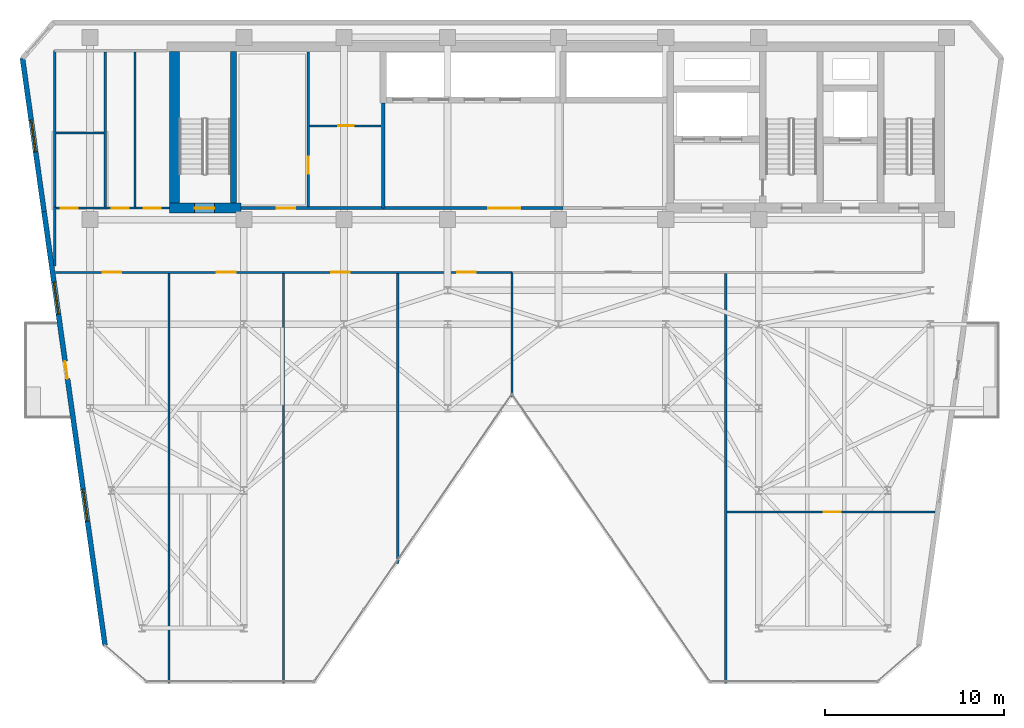
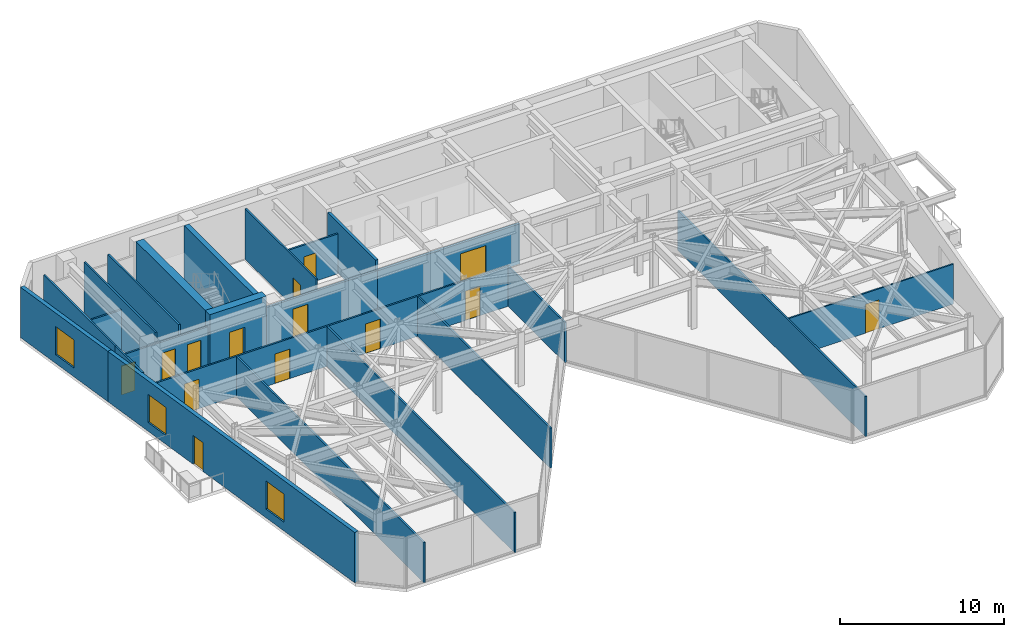
# One storey, part 16 of 21: 23 walls, 14 doors, 3 windows, 17 openings.
"""IFC4 building model written with IfcOpenShell, lengths in metres."""

from ifc_helpers import new_model, si_unit, direction, frame, frame_2d, origin, place, context, subcontext, project, spatial, rectangle, extrude, material, layer, layer_set, type_object, element, fill, save


model = new_model("IFC4")

# Units and contexts
model_context = context("Model", 3, precision=1e-05, world=origin(), true_north=direction((0.0, 1.0)))
body_context = subcontext(model_context, "Body", "Model", "MODEL_VIEW")
ifc_project = project(units=[si_unit("LENGTHUNIT", "METRE"), si_unit("AREAUNIT", "SQUARE_METRE"), si_unit("VOLUMEUNIT", "CUBIC_METRE"), si_unit("PLANEANGLEUNIT", "RADIAN"), si_unit("MASSUNIT", "GRAM", prefix="KILO")], contexts=[model_context])

# Site, building, storey
site_placement = place(None, origin())
site = spatial("IfcSite", under=ifc_project, at=site_placement, CompositionType="ELEMENT")
building_placement = place(site_placement, origin())
building = spatial("IfcBuilding", under=site, at=building_placement, Name="Kravanh Interchange Tower", CompositionType="ELEMENT")
storey_placement = place(building_placement, frame((0.0, 0.0, 168.5)))
storey = spatial("IfcBuildingStorey", under=building, at=storey_placement, Name="L40", CompositionType="ELEMENT", Elevation=168.5)

# Wall, opening, door
ifc_material_1 = material(Name="Double Acoustic Gypsum Board and Mineral Wool")
ifc_layer_1 = layer(ifc_material_1, 0.1201171875)
ifc_layer_set_1 = layer_set([ifc_layer_1], Name="Acoustic Office Drywall Partition 120mm")
wall_type_1 = type_object("IfcWallType", Name="Acoustic Office Drywall Partition 120mm", PredefinedType="PARTITIONING", material=ifc_layer_set_1)
wall_1_placement = place(storey_placement, frame((30.800048828125, 38.068115234375, 0.0), z_axis=(0.0, 0.0, 1.0), x_axis=(0.0, 1.0, 0.0)))
wall_1 = element("IfcWall", 1, at=wall_1_placement, inside=storey, type_object=wall_type_1, Name="L40 Interior Partition 4", PredefinedType="PARTITIONING", context=body_context, shape_type="SweptSolid", body=[
    extrude(rectangle(XDim=8.673828125, YDim=0.1201171875, at=frame_2d((4.3369140625, 0.0))), origin(), (0.0, 0.0, 1.0), 3.7548828125),
])
opening_1_placement = place(wall_1_placement, frame((1.865234375, 0.0, 0.0)))
opening_1 = element("IfcOpeningElement", 2, at=opening_1_placement, cuts=wall_1, Name="Opening D-95", PredefinedType="OPENING", context=body_context, shape_type="SweptSolid", body=[
    extrude(rectangle(XDim=0.949951171875, YDim=2.14990234375, at=frame_2d((0.47509765625, 1.074951171875))), frame((0.0, 0.070068359375, 0.0), z_axis=(0.0, -1.0, 0.0), x_axis=(1.0, 0.0, 0.0)), (0.0, 0.0, 1.0), 0.14013671875),
])
ifc_material_2 = material(Name="Laminate Solid-Core Timber", Category="wood")
door_type_1 = type_object("IfcDoorType", Name="Accessible Restroom Door 950x2150", OperationType="NOTDEFINED", PredefinedType="DOOR", material=ifc_material_2)
door_1_placement = place(opening_1_placement, origin())
door_1 = element("IfcDoor", 3, at=door_1_placement, inside=storey, type_object=door_type_1, Name="L40 Copy Hub Inner Door", OperationType="SINGLE_SWING_LEFT", OverallHeight=2.14990234375, OverallWidth=0.949951171875, PredefinedType="DOOR", context=body_context, shape_type="SweptSolid", body=[
    extrude(rectangle(XDim=0.949951171875, YDim=2.14990234375, at=frame_2d((0.47509765625, 1.074951171875))), frame((0.0, 0.02490234375, 0.0), z_axis=(0.0, -1.0, 0.0), x_axis=(1.0, 0.0, 0.0)), (0.0, 0.0, 1.0), 0.050048828125),
])
fill(opening_1, door_1)

wall_2_placement = place(storey_placement, frame((30.867919921875, 42.60009765625, 0.0), z_axis=(0.0, 0.0, 1.0), x_axis=(1.0, 0.0, 0.0)))
wall_2 = element("IfcWall", 4, at=wall_2_placement, inside=storey, type_object=wall_type_1, Name="L40 Interior Partition 5", PredefinedType="PARTITIONING", context=body_context, shape_type="SweptSolid", body=[
    extrude(rectangle(XDim=4.01416015625, YDim=0.1201171875, at=frame_2d((2.007080078125, 0.0))), origin(), (0.0, 0.0, 1.0), 2.98193359375),
])
opening_2_placement = place(wall_2_placement, frame((1.622314453125, 0.0, 0.0)))
opening_2 = element("IfcOpeningElement", 5, at=opening_2_placement, cuts=wall_2, Name="Opening D-85", PredefinedType="OPENING", context=body_context, shape_type="SweptSolid", body=[
    extrude(rectangle(XDim=0.85009765625, YDim=2.10009765625, at=frame_2d((0.425048828125, 1.050048828125))), frame((0.0, 0.070068359375, 0.0), z_axis=(0.0, -1.0, 0.0), x_axis=(1.0, 0.0, 0.0)), (0.0, 0.0, 1.0), 0.14013671875),
])
ifc_material_3 = material(Name="Engineered Teak Veneer Timber", Category="wood")
door_type_2 = type_object("IfcDoorType", Name="En-Suite Timber Door 850x2100", OperationType="NOTDEFINED", PredefinedType="DOOR", material=ifc_material_3)
door_2_placement = place(opening_2_placement, origin())
door_2 = element("IfcDoor", 6, at=door_2_placement, inside=storey, type_object=door_type_2, Name="L40 Records Store Inner Door", OperationType="SINGLE_SWING_RIGHT", OverallHeight=2.10009765625, OverallWidth=0.85009765625, PredefinedType="DOOR", context=body_context, shape_type="SweptSolid", body=[
    extrude(rectangle(XDim=0.85009765625, YDim=2.10009765625, at=frame_2d((0.425048828125, 1.050048828125))), frame((0.0, 0.02490234375, 0.0), z_axis=(0.0, -1.0, 0.0), x_axis=(1.0, 0.0, 0.0)), (0.0, 0.0, 1.0), 0.050048828125),
])
fill(opening_2, door_2)

# Wall, openings, doors
wall_3_placement = place(storey_placement, frame((16.6201171875, 38.0, 0.0), z_axis=(0.0, 0.0, 1.0), x_axis=(1.0, 0.0, 0.0)))
wall_3 = element("IfcWall", 7, at=wall_3_placement, inside=storey, type_object=wall_type_1, Name="L40 Restroom Corridor Wall 7", PredefinedType="PARTITIONING", context=body_context, shape_type="SweptSolid", body=[
    extrude(rectangle(XDim=6.429931640625, YDim=0.1201171875, at=frame_2d((3.21484375, 0.0))), origin(), (0.0, 0.0, 1.0), 2.98193359375),
])
opening_3_placement = place(wall_3_placement, frame((0.348876953125, 0.0, 0.0)))
opening_3 = element("IfcOpeningElement", 8, at=opening_3_placement, cuts=wall_3, Name="Opening D-95", PredefinedType="OPENING", context=body_context, shape_type="SweptSolid", body=[
    extrude(rectangle(XDim=0.949951171875, YDim=2.14990234375, at=frame_2d((0.47509765625, 1.074951171875))), frame((0.0, 0.070068359375, 0.0), z_axis=(0.0, -1.0, 0.0), x_axis=(1.0, 0.0, 0.0)), (0.0, 0.0, 1.0), 0.14013671875),
])
opening_4_placement = place(wall_3_placement, frame((3.18505859375, 0.0, 0.0)))
opening_4 = element("IfcOpeningElement", 9, at=opening_4_placement, cuts=wall_3, Name="Opening D-95", PredefinedType="OPENING", context=body_context, shape_type="SweptSolid", body=[
    extrude(rectangle(XDim=0.949951171875, YDim=2.14990234375, at=frame_2d((0.47509765625, 1.074951171875))), frame((0.0, 0.070068359375, 0.0), z_axis=(0.0, -1.0, 0.0), x_axis=(1.0, 0.0, 0.0)), (0.0, 0.0, 1.0), 0.14013671875),
])
opening_5_placement = place(wall_3_placement, frame((4.97509765625, 0.0, 0.0)))
opening_5 = element("IfcOpeningElement", 10, at=opening_5_placement, cuts=wall_3, Name="Opening D-95", PredefinedType="OPENING", context=body_context, shape_type="SweptSolid", body=[
    extrude(rectangle(XDim=0.949951171875, YDim=2.14990234375, at=frame_2d((0.47509765625, 1.074951171875))), frame((0.0, 0.070068359375, 0.0), z_axis=(0.0, -1.0, 0.0), x_axis=(1.0, 0.0, 0.0)), (0.0, 0.0, 1.0), 0.14013671875),
])
door_3_placement = place(opening_3_placement, origin())
door_3 = element("IfcDoor", 11, at=door_3_placement, inside=storey, type_object=door_type_1, Name="L40 Accessible WC Door", OperationType="SINGLE_SWING_LEFT", OverallHeight=2.14990234375, OverallWidth=0.949951171875, PredefinedType="DOOR", context=body_context, shape_type="SweptSolid", body=[
    extrude(rectangle(XDim=0.949951171875, YDim=2.14990234375, at=frame_2d((0.47509765625, 1.074951171875))), frame((0.0, 0.02490234375, 0.0), z_axis=(0.0, -1.0, 0.0), x_axis=(1.0, 0.0, 0.0)), (0.0, 0.0, 1.0), 0.050048828125),
])
fill(opening_3, door_3)
door_4_placement = place(opening_4_placement, origin())
door_4 = element("IfcDoor", 12, at=door_4_placement, inside=storey, type_object=door_type_1, Name="L40 Female WC Door", OperationType="SINGLE_SWING_RIGHT", OverallHeight=2.14990234375, OverallWidth=0.949951171875, PredefinedType="DOOR", context=body_context, shape_type="SweptSolid", body=[
    extrude(rectangle(XDim=0.949951171875, YDim=2.14990234375, at=frame_2d((0.47509765625, 1.074951171875))), frame((0.0, 0.02490234375, 0.0), z_axis=(0.0, -1.0, 0.0), x_axis=(1.0, 0.0, 0.0)), (0.0, 0.0, 1.0), 0.050048828125),
])
fill(opening_4, door_4)
door_5_placement = place(opening_5_placement, origin())
door_5 = element("IfcDoor", 13, at=door_5_placement, inside=storey, type_object=door_type_1, Name="L40 Male WC Door", OperationType="SINGLE_SWING_LEFT", OverallHeight=2.14990234375, OverallWidth=0.949951171875, PredefinedType="DOOR", context=body_context, shape_type="SweptSolid", body=[
    extrude(rectangle(XDim=0.949951171875, YDim=2.14990234375, at=frame_2d((0.47509765625, 1.074951171875))), frame((0.0, 0.02490234375, 0.0), z_axis=(0.0, -1.0, 0.0), x_axis=(1.0, 0.0, 0.0)), (0.0, 0.0, 1.0), 0.050048828125),
])
fill(opening_5, door_5)

# Walls
wall_4_placement = place(storey_placement, frame((16.6201171875, 38.0, 0.0), z_axis=(0.0, 0.0, 1.0), x_axis=(0.0, 1.0, 0.0)))
element("IfcWall", 14, at=wall_4_placement, inside=storey, type_object=wall_type_1, Name="L40 Restroom West Enclosure 8", PredefinedType="PARTITIONING", context=body_context, shape_type="SweptSolid", body=[
    extrude(rectangle(XDim=8.800048828125, YDim=0.1201171875, at=frame_2d((4.39990234375, 0.0))), origin(), (0.0, 0.0, 1.0), 3.7548828125),
])
for number, where, z_axis, x_axis, name in (
    (15, (19.449951171875, 38.068115234375, 0.0), (0.0, 0.0, 1.0), (0.0, 1.0, 0.0), "L40 Interior Partition 10"),
    (16, (21.110107421875, 38.068115234375, 0.0), (0.0, 0.0, 1.0), (0.0, 1.0, 0.0), "L40 Interior Partition 11"),
):
    element("IfcWall", number, at=place(storey_placement, frame(where, z_axis=z_axis, x_axis=x_axis)), inside=storey, type_object=wall_type_1, Name=name, PredefinedType="PARTITIONING", context=body_context, shape_type="SweptSolid", body=[
        extrude(rectangle(XDim=8.663818359375, YDim=0.1201171875, at=frame_2d((4.33203125, 0.0))), origin(), (0.0, 0.0, 1.0), 3.7548828125),
    ])
wall_5_placement = place(storey_placement, frame((16.68798828125, 42.199951171875, 0.0), z_axis=(0.0, 0.0, 1.0), x_axis=(1.0, 0.0, 0.0)))
element("IfcWall", 17, at=wall_5_placement, inside=storey, type_object=wall_type_1, Name="L40 Interior Partition 12", PredefinedType="PARTITIONING", context=body_context, shape_type="SweptSolid", body=[
    extrude(rectangle(XDim=2.694091796875, YDim=0.1201171875, at=frame_2d((1.34716796875, 0.0))), origin(), (0.0, 0.0, 1.0), 2.98193359375),
])

# Wall, openings, doors
wall_6_placement = place(storey_placement, frame((16.66943359375, 34.39990234375, 0.0), z_axis=(0.0, 0.0, 1.0), x_axis=(1.0, 0.0, 0.0)))
wall_6 = element("IfcWall", 18, at=wall_6_placement, inside=storey, type_object=wall_type_1, Name="L40 Interior Partition 13", PredefinedType="PARTITIONING", context=body_context, shape_type="SweptSolid", body=[
    extrude(rectangle(XDim=25.530517578125, YDim=0.1201171875, at=frame_2d((12.76513671875, 0.0))), origin(), (0.0, 0.0, 1.0), 2.98193359375),
])
opening_6_placement = place(wall_6_placement, frame((2.62548828125, 0.0, 0.0)))
opening_6 = element("IfcOpeningElement", 19, at=opening_6_placement, cuts=wall_6, Name="Opening D-105", PredefinedType="OPENING", context=body_context, shape_type="SweptSolid", body=[
    extrude(rectangle(XDim=1.050048828125, YDim=2.199951171875, at=frame_2d((0.52490234375, 1.10009765625))), frame((0.0, 0.070068359375, 0.0), z_axis=(0.0, -1.0, 0.0), x_axis=(1.0, 0.0, 0.0)), (0.0, 0.0, 1.0), 0.14013671875),
])
opening_7_placement = place(wall_6_placement, frame((9.0205078125, 0.0, 0.0)))
opening_7 = element("IfcOpeningElement", 20, at=opening_7_placement, cuts=wall_6, Name="Opening D-105", PredefinedType="OPENING", context=body_context, shape_type="SweptSolid", body=[
    extrude(rectangle(XDim=1.050048828125, YDim=2.199951171875, at=frame_2d((0.52490234375, 1.10009765625))), frame((0.0, 0.070068359375, 0.0), z_axis=(0.0, -1.0, 0.0), x_axis=(1.0, 0.0, 0.0)), (0.0, 0.0, 1.0), 0.14013671875),
])
opening_8_placement = place(wall_6_placement, frame((15.41552734375, 0.0, 0.0)))
opening_8 = element("IfcOpeningElement", 21, at=opening_8_placement, cuts=wall_6, Name="Opening D-105", PredefinedType="OPENING", context=body_context, shape_type="SweptSolid", body=[
    extrude(rectangle(XDim=1.050048828125, YDim=2.199951171875, at=frame_2d((0.52490234375, 1.10009765625))), frame((0.0, 0.070068359375, 0.0), z_axis=(0.0, -1.0, 0.0), x_axis=(1.0, 0.0, 0.0)), (0.0, 0.0, 1.0), 0.14013671875),
])
opening_9_placement = place(wall_6_placement, frame((22.455810546875, 0.0, 0.0)))
opening_9 = element("IfcOpeningElement", 22, at=opening_9_placement, cuts=wall_6, Name="Opening D-105", PredefinedType="OPENING", context=body_context, shape_type="SweptSolid", body=[
    extrude(rectangle(XDim=1.050048828125, YDim=2.199951171875, at=frame_2d((0.52490234375, 1.10009765625))), frame((0.0, 0.070068359375, 0.0), z_axis=(0.0, -1.0, 0.0), x_axis=(1.0, 0.0, 0.0)), (0.0, 0.0, 1.0), 0.14013671875),
])
ifc_material_4 = material(Name="Acoustic Glazed Oak and Aluminium", Category="aluminium")
door_type_3 = type_object("IfcDoorType", Name="Office Workplace Door 1050x2200", OperationType="NOTDEFINED", PredefinedType="DOOR", material=ifc_material_4)
door_6_placement = place(opening_6_placement, origin())
door_6 = element("IfcDoor", 23, at=door_6_placement, inside=storey, type_object=door_type_3, Name="L40 Partner Office 8A Door", OperationType="SINGLE_SWING_RIGHT", OverallHeight=2.199951171875, OverallWidth=1.050048828125, PredefinedType="DOOR", context=body_context, shape_type="SweptSolid", body=[
    extrude(rectangle(XDim=1.050048828125, YDim=2.199951171875, at=frame_2d((0.52490234375, 1.10009765625))), frame((0.0, 0.02490234375, 0.0), z_axis=(0.0, -1.0, 0.0), x_axis=(1.0, 0.0, 0.0)), (0.0, 0.0, 1.0), 0.050048828125),
])
fill(opening_6, door_6)
door_7_placement = place(opening_7_placement, origin())
door_7 = element("IfcDoor", 24, at=door_7_placement, inside=storey, type_object=door_type_3, Name="L40 Associate Office 8B Door", OperationType="SINGLE_SWING_LEFT", OverallHeight=2.199951171875, OverallWidth=1.050048828125, PredefinedType="DOOR", context=body_context, shape_type="SweptSolid", body=[
    extrude(rectangle(XDim=1.050048828125, YDim=2.199951171875, at=frame_2d((0.52490234375, 1.10009765625))), frame((0.0, 0.02490234375, 0.0), z_axis=(0.0, -1.0, 0.0), x_axis=(1.0, 0.0, 0.0)), (0.0, 0.0, 1.0), 0.050048828125),
])
fill(opening_7, door_7)
door_8_placement = place(opening_8_placement, origin())
door_8 = element("IfcDoor", 25, at=door_8_placement, inside=storey, type_object=door_type_3, Name="L40 Legal Office 8C Door", OperationType="SINGLE_SWING_RIGHT", OverallHeight=2.199951171875, OverallWidth=1.050048828125, PredefinedType="DOOR", context=body_context, shape_type="SweptSolid", body=[
    extrude(rectangle(XDim=1.050048828125, YDim=2.199951171875, at=frame_2d((0.52490234375, 1.10009765625))), frame((0.0, 0.02490234375, 0.0), z_axis=(0.0, -1.0, 0.0), x_axis=(1.0, 0.0, 0.0)), (0.0, 0.0, 1.0), 0.050048828125),
])
fill(opening_8, door_8)
door_9_placement = place(opening_9_placement, origin())
door_9 = element("IfcDoor", 26, at=door_9_placement, inside=storey, type_object=door_type_3, Name="L40 Advisory Office 8D Door", OperationType="SINGLE_SWING_LEFT", OverallHeight=2.199951171875, OverallWidth=1.050048828125, PredefinedType="DOOR", context=body_context, shape_type="SweptSolid", body=[
    extrude(rectangle(XDim=1.050048828125, YDim=2.199951171875, at=frame_2d((0.52490234375, 1.10009765625))), frame((0.0, 0.02490234375, 0.0), z_axis=(0.0, -1.0, 0.0), x_axis=(1.0, 0.0, 0.0)), (0.0, 0.0, 1.0), 0.050048828125),
])
fill(opening_9, door_9)

# Walls
wall_7_placement = place(storey_placement, frame((16.6201171875, 34.751953125, 0.0), z_axis=(0.0, 0.0, 1.0), x_axis=(0.0, 1.0, 0.0)))
element("IfcWall", 27, at=wall_7_placement, inside=storey, type_object=wall_type_1, Name="L40 Interior Partition 15", PredefinedType="PARTITIONING", context=body_context, shape_type="SweptSolid", body=[
    extrude(rectangle(XDim=3.298095703125, YDim=0.1201171875, at=frame_2d((1.64892578125, 0.0))), origin(), (0.0, 0.0, 1.0), 3.7548828125),
])
wall_8_placement = place(storey_placement, frame((42.199951171875, 27.426513671875, 0.0), z_axis=(0.0, 0.0, 1.0), x_axis=(0.0, 1.0, 0.0)))
element("IfcWall", 28, at=wall_8_placement, inside=storey, type_object=wall_type_1, Name="L40 Interior Partition 17", PredefinedType="PARTITIONING", context=body_context, shape_type="SweptSolid", body=[
    extrude(rectangle(XDim=6.973388671875, YDim=0.1201171875, at=frame_2d((3.48681640625, 0.0))), origin(), (0.0, 0.0, 1.0), 2.98193359375),
])
for number, where, z_axis, x_axis, name in (
    (29, (23.02001953125, 11.4150390625, 0.0), (0.0, 0.0, 1.0), (0.0, 1.0, 0.0), "L40 Interior Partition 18"),
    (30, (29.409912109375, 11.4150390625, 0.0), (0.0, 0.0, 1.0), (0.0, 1.0, 0.0), "L40 Interior Partition 19"),
):
    element("IfcWall", number, at=place(storey_placement, frame(where, z_axis=z_axis, x_axis=x_axis)), inside=storey, type_object=wall_type_1, Name=name, PredefinedType="PARTITIONING", context=body_context, shape_type="SweptSolid", body=[
        extrude(rectangle(XDim=22.9169921875, YDim=0.1201171875, at=frame_2d((11.45849609375, 0.0))), origin(), (0.0, 0.0, 1.0), 2.98193359375),
    ])
wall_9_placement = place(storey_placement, frame((35.81005859375, 18.1318359375, 0.0), z_axis=(0.0, 0.0, 1.0), x_axis=(0.0, 1.0, 0.0)))
element("IfcWall", 31, at=wall_9_placement, inside=storey, type_object=wall_type_1, Name="L40 Interior Partition 20", PredefinedType="PARTITIONING", context=body_context, shape_type="SweptSolid", body=[
    extrude(rectangle(XDim=16.2001953125, YDim=0.1201171875, at=frame_2d((8.10009765625, 0.0))), origin(), (0.0, 0.0, 1.0), 2.98193359375),
])
wall_10_placement = place(storey_placement, frame((54.159912109375, 11.4150390625, 0.0), z_axis=(0.0, 0.0, 1.0), x_axis=(0.0, 1.0, 0.0)))
element("IfcWall", 32, at=wall_10_placement, inside=storey, type_object=wall_type_1, Name="L40 Interior Partition 21", PredefinedType="PARTITIONING", context=body_context, shape_type="SweptSolid", body=[
    extrude(rectangle(XDim=22.9169921875, YDim=0.1201171875, at=frame_2d((11.45849609375, 0.0))), origin(), (0.0, 0.0, 1.0), 2.98193359375),
])
ifc_material_5 = material(Name="Concrete C60/75", Category="concrete")
ifc_layer_2 = layer(ifc_material_5, 0.35009765625)
ifc_layer_set_2 = layer_set([ifc_layer_2], Name="Core Shear Wall Concrete C60/75 350mm")
wall_type_2 = type_object("IfcWallType", Name="Core Shear Wall Concrete C60/75 350mm", PredefinedType="SHEAR", material=ifc_layer_set_2)
wall_11_placement = place(storey_placement, frame((26.625, 38.27490234375, 0.0), z_axis=(0.0, 0.0, 1.0), x_axis=(0.0, 1.0, 0.0)))
element("IfcWall", 33, at=wall_11_placement, inside=storey, type_object=wall_type_2, Name="L40 Stair ST3 East Shear Wall", PredefinedType="SHEAR", context=body_context, shape_type="SweptSolid", body=[
    extrude(rectangle(XDim=8.47509765625, YDim=0.35009765625, at=frame_2d((4.237548828125, 0.0))), origin(), (0.0, 0.0, 1.0), 4.0),
])

# Wall, opening, door
ifc_material_6 = material(Name="Concrete C70/85", Category="concrete")
ifc_layer_3 = layer(ifc_material_6, 0.550048828125)
ifc_layer_set_3 = layer_set([ifc_layer_3], Name="Core Shear Wall Concrete C70/85 550mm")
wall_type_3 = type_object("IfcWallType", Name="Core Shear Wall Concrete C70/85 550mm", PredefinedType="SHEAR", material=ifc_layer_set_3)
wall_12_placement = place(storey_placement, frame((23.050048828125, 38.0, 0.0), z_axis=(0.0, 0.0, 1.0), x_axis=(1.0, 0.0, 0.0)))
wall_12 = element("IfcWall", 34, at=wall_12_placement, inside=storey, type_object=wall_type_3, Name="L40 Stair ST3 South Shear Wall", PredefinedType="SHEAR", context=body_context, shape_type="SweptSolid", body=[
    extrude(rectangle(XDim=4.0, YDim=0.550048828125, at=frame_2d((2.0, 0.0))), origin(), (0.0, 0.0, 1.0), 4.0),
])
opening_10_placement = place(wall_12_placement, frame((1.39990234375, 0.0, 0.0)))
opening_10 = element("IfcOpeningElement", 35, at=opening_10_placement, cuts=wall_12, Name="Opening D-STAIR-110", PredefinedType="OPENING", context=body_context, shape_type="SweptSolid", body=[
    extrude(rectangle(XDim=1.10009765625, YDim=2.199951171875, at=frame_2d((0.550048828125, 1.10009765625))), frame((0.0, 0.28515625, 0.0), z_axis=(0.0, -1.0, 0.0), x_axis=(1.0, 0.0, 0.0)), (0.0, 0.0, 1.0), 0.570068359375),
])
ifc_material_7 = material(Name="Structural Steel S355", Category="steel")
door_type_4 = type_object("IfcDoorType", Name="Fire-Rated Exit Stair Door 1100x2200", OperationType="NOTDEFINED", PredefinedType="DOOR", material=ifc_material_7)
door_10_placement = place(opening_10_placement, origin())
door_10 = element("IfcDoor", 36, at=door_10_placement, inside=storey, type_object=door_type_4, Name="L40 Exit Stair ST3 Door", OperationType="SINGLE_SWING_RIGHT", OverallHeight=2.199951171875, OverallWidth=1.10009765625, PredefinedType="DOOR", context=body_context, shape_type="SweptSolid", body=[
    extrude(rectangle(XDim=1.10009765625, YDim=2.199951171875, at=frame_2d((0.550048828125, 1.10009765625))), frame((0.0, 0.02490234375, 0.0), z_axis=(0.0, -1.0, 0.0), x_axis=(1.0, 0.0, 0.0)), (0.0, 0.0, 1.0), 0.050048828125),
])
fill(opening_10, door_10)

# Wall
wall_13_placement = place(storey_placement, frame((23.324951171875, 38.27490234375, 0.0), z_axis=(0.0, 0.0, 1.0), x_axis=(0.0, 1.0, 0.0)))
element("IfcWall", 37, at=wall_13_placement, inside=storey, type_object=wall_type_3, Name="L40 Stair ST3 West Shear Wall", PredefinedType="SHEAR", context=body_context, shape_type="SweptSolid", body=[
    extrude(rectangle(XDim=8.47509765625, YDim=0.550048828125, at=frame_2d((4.237548828125, 0.0))), origin(), (0.0, 0.0, 1.0), 4.0),
])

# Wall, opening, door
ifc_material_8 = material(Name="Moisture-Resistant Gypsum Board and Mineral Wool")
ifc_layer_4 = layer(ifc_material_8, 0.10009765625)
ifc_layer_set_4 = layer_set([ifc_layer_4], Name="En-Suite Moisture-Resistant Partition 100mm")
wall_type_4 = type_object("IfcWallType", Name="En-Suite Moisture-Resistant Partition 100mm", PredefinedType="PARTITIONING", material=ifc_layer_set_4)
wall_14_placement = place(storey_placement, frame((54.22802734375, 21.0, 0.0), z_axis=(0.0, 0.0, 1.0), x_axis=(1.0, 0.0, 0.0)))
wall_14 = element("IfcWall", 38, at=wall_14_placement, inside=storey, type_object=wall_type_4, Name="L40 Interior Partition 22", PredefinedType="PARTITIONING", context=body_context, shape_type="SweptSolid", body=[
    extrude(rectangle(XDim=11.619384765625, YDim=0.10009765625, at=frame_2d((5.8095703125, 0.0))), origin(), (0.0, 0.0, 1.0), 2.98193359375),
])
opening_11_placement = place(wall_14_placement, frame((5.396728515625, 0.0, 0.0)))
opening_11 = element("IfcOpeningElement", 39, at=opening_11_placement, cuts=wall_14, Name="Opening D-95", PredefinedType="OPENING", context=body_context, shape_type="SweptSolid", body=[
    extrude(rectangle(XDim=0.949951171875, YDim=2.14990234375, at=frame_2d((0.47509765625, 1.074951171875))), frame((0.0, 0.06005859375, 0.0), z_axis=(0.0, -1.0, 0.0), x_axis=(1.0, 0.0, 0.0)), (0.0, 0.0, 1.0), 0.1201171875),
])
door_11_placement = place(opening_11_placement, origin())
door_11 = element("IfcDoor", 40, at=door_11_placement, inside=storey, type_object=door_type_1, Name="L40 East Vault Archive Store Inner Door", OperationType="SINGLE_SWING_LEFT", OverallHeight=2.14990234375, OverallWidth=0.949951171875, PredefinedType="DOOR", context=body_context, shape_type="SweptSolid", body=[
    extrude(rectangle(XDim=0.949951171875, YDim=2.14990234375, at=frame_2d((0.47509765625, 1.074951171875))), frame((0.0, 0.02490234375, 0.0), z_axis=(0.0, -1.0, 0.0), x_axis=(1.0, 0.0, 0.0)), (0.0, 0.0, 1.0), 0.050048828125),
])
fill(opening_11, door_11)

# Wall, openings, door, windows
ifc_material_9 = material(Name="Insulated Precast Concrete C40/50 with Bronze Cladding", Category="concrete")
ifc_layer_5 = layer(ifc_material_9, 0.280029296875)
ifc_layer_set_5 = layer_set([ifc_layer_5], Name="Exterior Insulated Concrete C40/50 Bronze Spandrel Wall 280mm")
wall_type_5 = type_object("IfcWallType", Name="Exterior Insulated Concrete C40/50 Bronze Spandrel Wall 280mm", PredefinedType="STANDARD", material=ifc_layer_set_5)
wall_15_placement = place(storey_placement, frame((19.434326171875, 13.540771484375, 0.0), z_axis=(0.0, 0.0, 1.0), x_axis=(-0.139173290738, 0.99026804207, 0.0)))
wall_15 = element("IfcWall", 41, at=wall_15_placement, inside=storey, type_object=wall_type_5, Name="L40 Exterior Wall 1", PredefinedType="STANDARD", context=body_context, shape_type="SweptSolid", body=[
    extrude(rectangle(XDim=24.497802734375, YDim=0.280029296875, at=frame_2d((12.2490234375, 0.0))), origin(), (0.0, 0.0, 1.0), 3.7548828125),
])
opening_12_placement = place(wall_15_placement, frame((15.057373046875, 0.0, 0.0)))
opening_12 = element("IfcOpeningElement", 42, at=opening_12_placement, cuts=wall_15, Name="Opening ED-BAL100", PredefinedType="OPENING", context=body_context, shape_type="SweptSolid", body=[
    extrude(rectangle(XDim=1.0, YDim=2.14990234375, at=frame_2d((0.5, 1.074951171875))), frame((0.0, 0.14990234375, 0.0), z_axis=(0.0, -1.0, 0.0), x_axis=(1.0, 0.0, 0.0)), (0.0, 0.0, 1.0), 0.300048828125),
])
opening_13_placement = place(wall_15_placement, frame((7.005859375, 0.0, 0.64990234375)))
opening_13 = element("IfcOpeningElement", 43, at=opening_13_placement, cuts=wall_15, Name="Opening WN-180X210", PredefinedType="OPENING", context=body_context, shape_type="SweptSolid", body=[
    extrude(rectangle(XDim=1.800048828125, YDim=2.10009765625, at=frame_2d((0.89990234375, 1.050048828125))), frame((0.0, 0.14990234375, 0.0), z_axis=(0.0, -1.0, 0.0), x_axis=(1.0, 0.0, 0.0)), (0.0, 0.0, 1.0), 0.300048828125),
])
opening_14_placement = place(wall_15_placement, frame((18.7080078125, 0.0, 0.64990234375)))
opening_14 = element("IfcOpeningElement", 44, at=opening_14_placement, cuts=wall_15, Name="Opening WN-180X210", PredefinedType="OPENING", context=body_context, shape_type="SweptSolid", body=[
    extrude(rectangle(XDim=1.800048828125, YDim=2.10009765625, at=frame_2d((0.89990234375, 1.050048828125))), frame((0.0, 0.14990234375, 0.0), z_axis=(0.0, -1.0, 0.0), x_axis=(1.0, 0.0, 0.0)), (0.0, 0.0, 1.0), 0.300048828125),
])
ifc_material_10 = material(Name="Thermally Broken Bronze Aluminium and Laminated Glass", Category="aluminium")
door_type_5 = type_object("IfcDoorType", Name="Balcony Glazed Door 1000x2150", OperationType="NOTDEFINED", PredefinedType="DOOR", material=ifc_material_10)
door_12_placement = place(opening_12_placement, origin())
door_12 = element("IfcDoor", 45, at=door_12_placement, inside=storey, type_object=door_type_5, Name="L40 W Tree Balcony Access Door", OperationType="SINGLE_SWING_RIGHT", OverallHeight=2.14990234375, OverallWidth=1.0, PredefinedType="DOOR", context=body_context, shape_type="SweptSolid", body=[
    extrude(rectangle(XDim=1.0, YDim=2.14990234375, at=frame_2d((0.5, 1.074951171875))), frame((0.0, 0.02490234375, 0.0), z_axis=(0.0, -1.0, 0.0), x_axis=(1.0, 0.0, 0.0)), (0.0, 0.0, 1.0), 0.050048828125),
])
fill(opening_12, door_12)
ifc_material_11 = material(Name="Thermally Broken Bronze Aluminium and Low-E Glass", Category="aluminium")
window_type = type_object("IfcWindowType", Name="Tower Pier Window 1800x2100", PartitioningType="SINGLE_PANEL", PredefinedType="WINDOW", material=ifc_material_11)
window_1_placement = place(opening_13_placement, origin())
window_1 = element("IfcWindow", 46, at=window_1_placement, inside=storey, type_object=window_type, Name="L40 Facade Window 1A", OverallHeight=2.10009765625, OverallWidth=1.800048828125, PartitioningType="SINGLE_PANEL", PredefinedType="WINDOW", context=body_context, shape_type="SweptSolid", body=[
    extrude(rectangle(XDim=1.800048828125, YDim=2.10009765625, at=frame_2d((0.89990234375, 1.050048828125))), frame((0.0, 0.030029296875, 0.0), z_axis=(0.0, -1.0, 0.0), x_axis=(1.0, 0.0, 0.0)), (0.0, 0.0, 1.0), 0.06005859375),
])
fill(opening_13, window_1)
window_2_placement = place(opening_14_placement, origin())
window_2 = element("IfcWindow", 47, at=window_2_placement, inside=storey, type_object=window_type, Name="L40 Facade Window 1B", OverallHeight=2.10009765625, OverallWidth=1.800048828125, PartitioningType="SINGLE_PANEL", PredefinedType="WINDOW", context=body_context, shape_type="SweptSolid", body=[
    extrude(rectangle(XDim=1.800048828125, YDim=2.10009765625, at=frame_2d((0.89990234375, 1.050048828125))), frame((0.0, 0.030029296875, 0.0), z_axis=(0.0, -1.0, 0.0), x_axis=(1.0, 0.0, 0.0)), (0.0, 0.0, 1.0), 0.06005859375),
])
fill(opening_14, window_2)

# Wall, opening, window
wall_16_placement = place(storey_placement, frame((16.02490234375, 37.800048828125, 0.0), z_axis=(0.0, 0.0, 1.0), x_axis=(-0.13918102754, 0.990266954701, 0.0)))
wall_16 = element("IfcWall", 48, at=wall_16_placement, inside=storey, type_object=wall_type_5, Name="L40 Exterior Wall 2", PredefinedType="STANDARD", context=body_context, shape_type="SweptSolid", body=[
    extrude(rectangle(XDim=8.667236328125, YDim=0.280029296875, at=frame_2d((4.33349609375, 0.0))), origin(), (0.0, 0.0, 1.0), 3.7548828125),
])
opening_15_placement = place(wall_16_placement, frame((3.37353515625, 0.0, 0.64990234375)))
opening_15 = element("IfcOpeningElement", 49, at=opening_15_placement, cuts=wall_16, Name="Opening WN-180X210", PredefinedType="OPENING", context=body_context, shape_type="SweptSolid", body=[
    extrude(rectangle(XDim=1.800048828125, YDim=2.10009765625, at=frame_2d((0.89990234375, 1.050048828125))), frame((0.0, 0.14990234375, 0.0), z_axis=(0.0, -1.0, 0.0), x_axis=(1.0, 0.0, 0.0)), (0.0, 0.0, 1.0), 0.300048828125),
])
window_3_placement = place(opening_15_placement, origin())
window_3 = element("IfcWindow", 50, at=window_3_placement, inside=storey, type_object=window_type, Name="L40 Corner Window 2", OverallHeight=2.10009765625, OverallWidth=1.800048828125, PartitioningType="SINGLE_PANEL", PredefinedType="WINDOW", context=body_context, shape_type="SweptSolid", body=[
    extrude(rectangle(XDim=1.800048828125, YDim=2.10009765625, at=frame_2d((0.89990234375, 1.050048828125))), frame((0.0, 0.030029296875, 0.0), z_axis=(0.0, -1.0, 0.0), x_axis=(1.0, 0.0, 0.0)), (0.0, 0.0, 1.0), 0.06005859375),
])
fill(opening_15, window_3)

# Wall
ifc_material_12 = material(Name="Autoclaved Aerated Concrete C30/37 Blockwork", Category="masonry")
ifc_layer_6 = layer(ifc_material_12, 0.179931640625)
ifc_layer_set_6 = layer_set([ifc_layer_6], Name="Fire-Rated Lobby and Corridor Wall Concrete C30/37 180mm")
wall_type_6 = type_object("IfcWallType", Name="Fire-Rated Lobby and Corridor Wall Concrete C30/37 180mm", PredefinedType="STANDARD", material=ifc_layer_set_6)
wall_17_placement = place(storey_placement, frame((35.0, 38.0, 0.0), z_axis=(0.0, 0.0, 1.0), x_axis=(0.0, 1.0, 0.0)))
element("IfcWall", 51, at=wall_17_placement, inside=storey, type_object=wall_type_6, Name="L40 Interior Partition 3", PredefinedType="STANDARD", context=body_context, shape_type="SweptSolid", body=[
    extrude(rectangle(XDim=5.875, YDim=0.179931640625, at=frame_2d((2.9375, 0.0))), origin(), (0.0, 0.0, 1.0), 3.7548828125),
])

# Wall, opening, door
wall_18_placement = place(storey_placement, frame((35.0, 38.0, 0.0), z_axis=(0.0, 0.0, 1.0), x_axis=(1.0, 0.0, 0.0)))
wall_18 = element("IfcWall", 52, at=wall_18_placement, inside=storey, type_object=wall_type_6, Name="L40 Interior Partition 6", PredefinedType="STANDARD", context=body_context, shape_type="SweptSolid", body=[
    extrude(rectangle(XDim=10.050048828125, YDim=0.179931640625, at=frame_2d((5.02490234375, 0.0))), origin(), (0.0, 0.0, 1.0), 2.98193359375),
])
opening_16_placement = place(wall_18_placement, frame((5.85791015625, 0.0, 0.0)))
opening_16 = element("IfcOpeningElement", 53, at=opening_16_placement, cuts=wall_18, Name="Opening DBL-180", PredefinedType="OPENING", context=body_context, shape_type="SweptSolid", body=[
    extrude(rectangle(XDim=1.800048828125, YDim=2.199951171875, at=frame_2d((0.89990234375, 1.10009765625))), frame((0.0, 0.10009765625, 0.0), z_axis=(0.0, -1.0, 0.0), x_axis=(1.0, 0.0, 0.0)), (0.0, 0.0, 1.0), 0.199951171875),
])
ifc_material_13 = material(Name="Structural Steel S355", Category="steel")
door_type_6 = type_object("IfcDoorType", Name="Lift Lobby Double Fire Door 1800x2200", OperationType="DOUBLE_DOOR_SINGLE_SWING", PredefinedType="DOOR", material=ifc_material_13)
door_13_placement = place(opening_16_placement, origin())
door_13 = element("IfcDoor", 54, at=door_13_placement, inside=storey, type_object=door_type_6, Name="L40 Mid-Rise Lift Lobby Door", OperationType="DOUBLE_DOOR_SINGLE_SWING", OverallHeight=2.199951171875, OverallWidth=1.800048828125, PredefinedType="DOOR", context=body_context, shape_type="SweptSolid", body=[
    extrude(rectangle(XDim=1.800048828125, YDim=2.199951171875, at=frame_2d((0.89990234375, 1.10009765625))), frame((0.0, 0.02490234375, 0.0), z_axis=(0.0, -1.0, 0.0), x_axis=(1.0, 0.0, 0.0)), (0.0, 0.0, 1.0), 0.050048828125),
])
fill(opening_16, door_13)

ifc_material_14 = material(Name="Twin Stud Acoustic Gypsum Board Wall")
ifc_layer_7 = layer(ifc_material_14, 0.14990234375)
ifc_layer_set_7 = layer_set([ifc_layer_7], Name="Medium-Duty Acoustic Partition 150mm")
wall_type_7 = type_object("IfcWallType", Name="Medium-Duty Acoustic Partition 150mm", PredefinedType="PARTITIONING", material=ifc_layer_set_7)
wall_19_placement = place(storey_placement, frame((27.050048828125, 38.0, 0.0), z_axis=(0.0, 0.0, 1.0), x_axis=(1.0, 0.0, 0.0)))
wall_19 = element("IfcWall", 55, at=wall_19_placement, inside=storey, type_object=wall_type_7, Name="L40 Interior Partition 2", PredefinedType="PARTITIONING", context=body_context, shape_type="SweptSolid", body=[
    extrude(rectangle(XDim=7.949951171875, YDim=0.14990234375, at=frame_2d((3.97509765625, 0.0))), origin(), (0.0, 0.0, 1.0), 2.98193359375),
])
opening_17_placement = place(wall_19_placement, frame((1.984619140625, 0.0, 0.0)))
opening_17 = element("IfcOpeningElement", 56, at=opening_17_placement, cuts=wall_19, Name="Opening D-105", PredefinedType="OPENING", context=body_context, shape_type="SweptSolid", body=[
    extrude(rectangle(XDim=1.050048828125, YDim=2.199951171875, at=frame_2d((0.52490234375, 1.10009765625))), frame((0.0, 0.0849609375, 0.0), z_axis=(0.0, -1.0, 0.0), x_axis=(1.0, 0.0, 0.0)), (0.0, 0.0, 1.0), 0.169921875),
])
door_14_placement = place(opening_17_placement, origin())
door_14 = element("IfcDoor", 57, at=door_14_placement, inside=storey, type_object=door_type_3, Name="L40 Staff Coffee Room Door", OperationType="SINGLE_SWING_RIGHT", OverallHeight=2.199951171875, OverallWidth=1.050048828125, PredefinedType="DOOR", context=body_context, shape_type="SweptSolid", body=[
    extrude(rectangle(XDim=1.050048828125, YDim=2.199951171875, at=frame_2d((0.52490234375, 1.10009765625))), frame((0.0, 0.02490234375, 0.0), z_axis=(0.0, -1.0, 0.0), x_axis=(1.0, 0.0, 0.0)), (0.0, 0.0, 1.0), 0.050048828125),
])
fill(opening_17, door_14)

save(model, "model.ifc")
